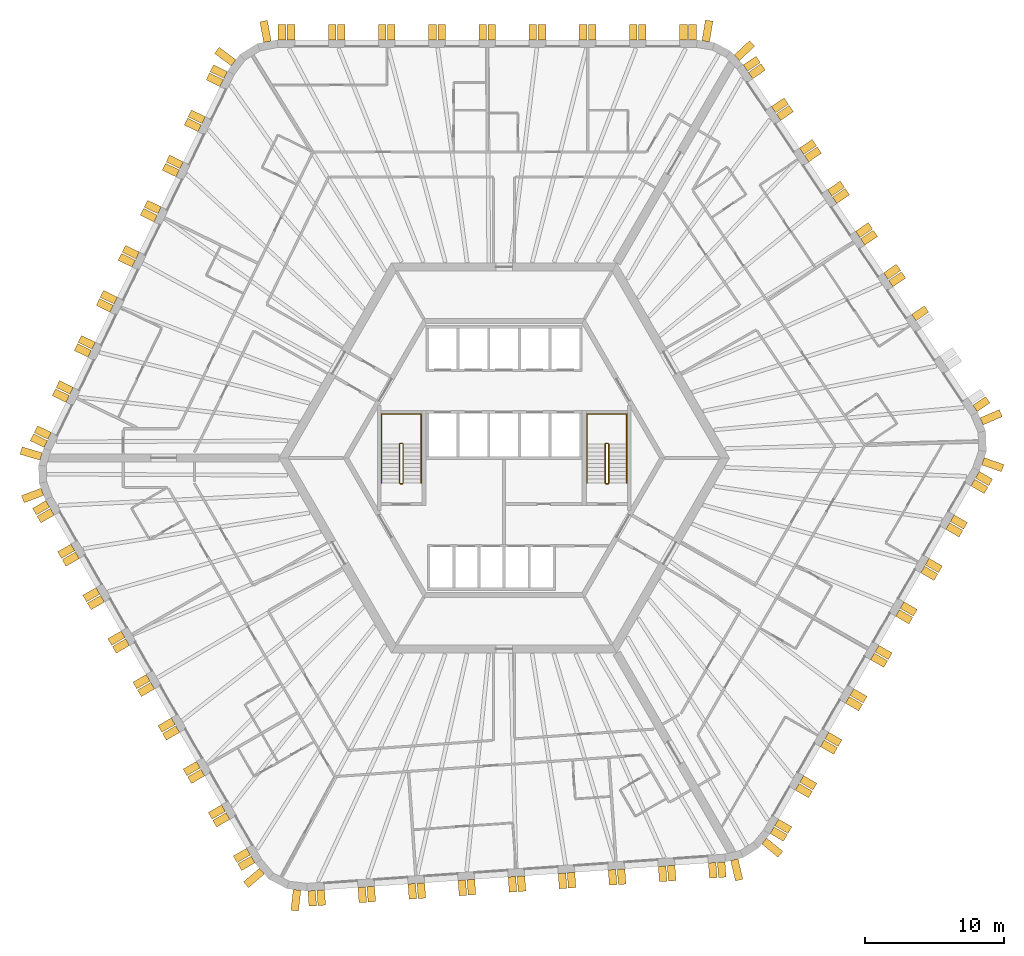
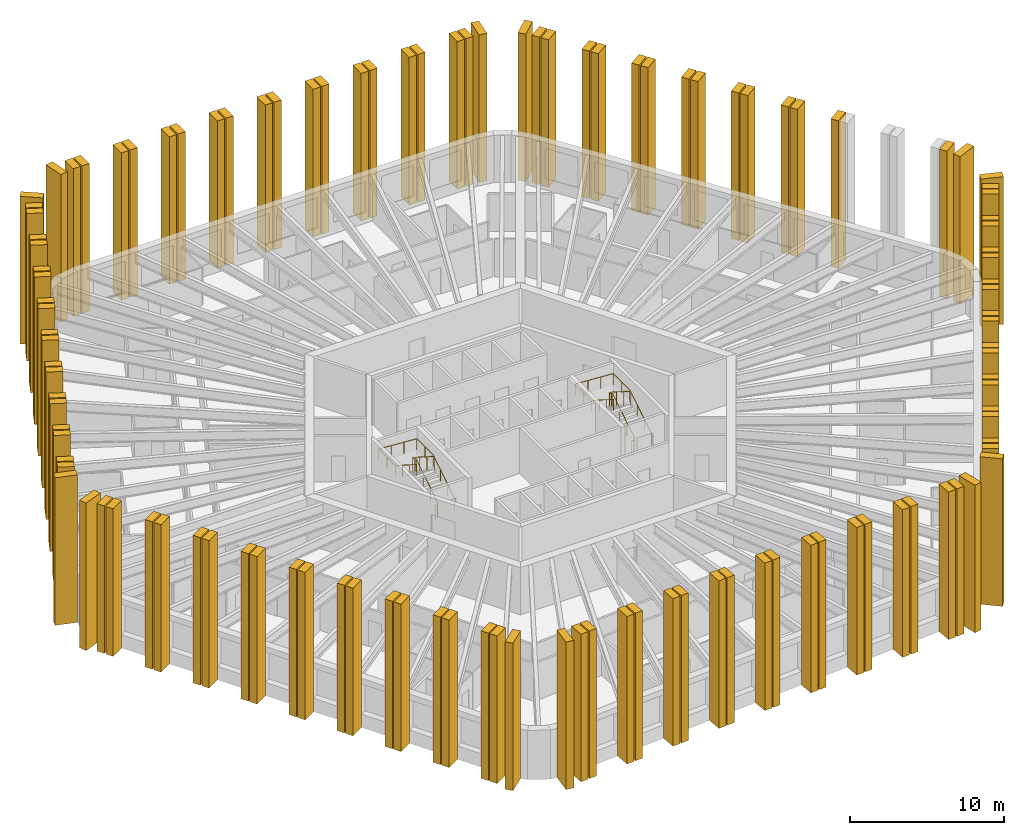
# One storey, part 12 of 13: 116 shading devices, 4 railings.
"""IFC4 building model written with IfcOpenShell, lengths in metres."""

from ifc_helpers import new_model, si_unit, direction, frame, origin, origin_2d, place, context, subcontext, project, spatial, polyline, circle, outline, extrude, material, layer, layer_set, type_object, element, save


model = new_model("IFC4")

# Units and contexts
model_context = context("Model", 3, precision=1e-05, world=origin(), true_north=direction((0.0, 1.0)))
body_context = subcontext(model_context, "Body", "Model", "MODEL_VIEW")
ifc_project = project(units=[si_unit("LENGTHUNIT", "METRE"), si_unit("AREAUNIT", "SQUARE_METRE"), si_unit("VOLUMEUNIT", "CUBIC_METRE"), si_unit("PLANEANGLEUNIT", "RADIAN"), si_unit("MASSUNIT", "GRAM", prefix="KILO")], contexts=[model_context])

# Site, building, storey
site_placement = place(None, origin())
site = spatial("IfcSite", under=ifc_project, at=site_placement, CompositionType="ELEMENT")
building_placement = place(site_placement, origin())
building = spatial("IfcBuilding", under=site, at=building_placement, Name="Tarnside Tower", CompositionType="ELEMENT")
storey_placement = place(building_placement, frame((0.0, 0.0, 111.60009765625)))
storey = spatial("IfcBuildingStorey", under=building, at=storey_placement, Name="L25", CompositionType="ELEMENT", Elevation=111.60009765625)

# Shading devices
ifc_material_1 = material(Name="Concrete C50/60 white precast", Category="concrete")
ifc_layer_1 = layer(ifc_material_1, 0.550048828125)
ifc_layer_set_1 = layer_set([ifc_layer_1], Name="Precast fin 550 x 1100")
shading_device_type_1 = type_object("IfcShadingDeviceType", Name="Precast fin 550 x 1100", PredefinedType="USERDEFINED", material=ifc_layer_set_1)
for number, where, z_axis, x_axis, name in (
    (1, (13.513916015625, 30.0, -0.150146484375), (1.0, 0.0, 0.0), (0.0, 1.0, 0.0), "Precast fin"),
    (2, (12.864013671875, 30.0, -0.150146484375), (1.0, 0.0, 0.0), (0.0, 1.0, 0.0), "Precast fin"),
    (3, (9.9140625, 30.0, -0.150146484375), (1.0, 0.0, 0.0), (0.0, 1.0, 0.0), "Precast fin"),
    (4, (9.263916015625, 30.0, -0.150146484375), (1.0, 0.0, 0.0), (0.0, 1.0, 0.0), "Precast fin"),
    (5, (6.31396484375, 30.0, -0.150146484375), (1.0, 0.0, 0.0), (0.0, 1.0, 0.0), "Precast fin"),
    (6, (5.6640625, 30.0, -0.150146484375), (1.0, 0.0, 0.0), (0.0, 1.0, 0.0), "Precast fin"),
    (7, (2.7138671875, 30.0, -0.150146484375), (1.0, 0.0, 0.0), (0.0, 1.0, 0.0), "Precast fin"),
    (8, (2.06396484375, 30.0, -0.150146484375), (1.0, 0.0, 0.0), (0.0, 1.0, 0.0), "Precast fin"),
    (9, (-0.885986328125, 30.0, -0.150146484375), (1.0, 0.0, 0.0), (0.0, 1.0, 0.0), "Precast fin"),
    (10, (-1.5361328125, 30.0, -0.150146484375), (1.0, 0.0, 0.0), (0.0, 1.0, 0.0), "Precast fin"),
    (11, (-4.486083984375, 30.0, -0.150146484375), (1.0, 0.0, 0.0), (0.0, 1.0, 0.0), "Precast fin"),
    (12, (-5.135986328125, 30.0, -0.150146484375), (1.0, 0.0, 0.0), (0.0, 1.0, 0.0), "Precast fin"),
    (13, (-8.0859375, 30.0, -0.150146484375), (1.0, 0.0, 0.0), (0.0, 1.0, 0.0), "Precast fin"),
    (14, (-8.736083984375, 30.0, -0.150146484375), (1.0, 0.0, 0.0), (0.0, 1.0, 0.0), "Precast fin"),
    (15, (-11.68603515625, 30.0, -0.150146484375), (1.0, 0.0, 0.0), (0.0, 1.0, 0.0), "Precast fin"),
    (16, (-12.3359375, 30.0, -0.150146484375), (1.0, 0.0, 0.0), (0.0, 1.0, 0.0), "Precast fin"),
    (17, (-15.2861328125, 30.0, -0.150146484375), (1.0, 0.0, 0.0), (0.0, 1.0, 0.0), "Precast fin"),
    (18, (-15.93603515625, 30.0, -0.150146484375), (1.0, 0.0, 0.0), (0.0, 1.0, 0.0), "Precast fin"),
    (19, (-19.977783203125, 27.474365234375, -0.150146484375), (0.438371146789, 0.898794046299, 0.0), (-0.898794046299, 0.438371146789, 0.0), "Precast fin"),
    (20, (-20.262939453125, 26.89013671875, -0.150146484375), (0.438371146789, 0.898794046299, 0.0), (-0.898794046299, 0.438371146789, 0.0), "Precast fin"),
    (21, (-21.555908203125, 24.23876953125, -0.150146484375), (0.438371146789, 0.898794046299, 0.0), (-0.898794046299, 0.438371146789, 0.0), "Precast fin"),
    (22, (-21.841064453125, 23.654541015625, -0.150146484375), (0.438371146789, 0.898794046299, 0.0), (-0.898794046299, 0.438371146789, 0.0), "Precast fin"),
    (23, (-23.13427734375, 21.003173828125, -0.150146484375), (0.438371146789, 0.898794046299, 0.0), (-0.898794046299, 0.438371146789, 0.0), "Precast fin"),
    (24, (-23.419189453125, 20.4189453125, -0.150146484375), (0.438371146789, 0.898794046299, 0.0), (-0.898794046299, 0.438371146789, 0.0), "Precast fin"),
    (25, (-24.71240234375, 17.767333984375, -0.150146484375), (0.438371146789, 0.898794046299, 0.0), (-0.898794046299, 0.438371146789, 0.0), "Precast fin"),
    (26, (-24.997314453125, 17.18310546875, -0.150146484375), (0.438371146789, 0.898794046299, 0.0), (-0.898794046299, 0.438371146789, 0.0), "Precast fin"),
    (27, (-26.29052734375, 14.53173828125, -0.150146484375), (0.438371146789, 0.898794046299, 0.0), (-0.898794046299, 0.438371146789, 0.0), "Precast fin"),
    (28, (-26.575439453125, 13.947509765625, -0.150146484375), (0.438371146789, 0.898794046299, 0.0), (-0.898794046299, 0.438371146789, 0.0), "Precast fin"),
    (29, (-27.86865234375, 11.296142578125, -0.150146484375), (0.438371146789, 0.898794046299, 0.0), (-0.898794046299, 0.438371146789, 0.0), "Precast fin"),
    (30, (-28.153564453125, 10.7119140625, -0.150146484375), (0.438371146789, 0.898794046299, 0.0), (-0.898794046299, 0.438371146789, 0.0), "Precast fin"),
    (31, (-29.44677734375, 8.060546875, -0.150146484375), (0.438371146789, 0.898794046299, 0.0), (-0.898794046299, 0.438371146789, 0.0), "Precast fin"),
    (32, (-29.731689453125, 7.476318359375, -0.150146484375), (0.438371146789, 0.898794046299, 0.0), (-0.898794046299, 0.438371146789, 0.0), "Precast fin"),
    (33, (-31.02490234375, 4.82470703125, -0.150146484375), (0.438371146789, 0.898794046299, 0.0), (-0.898794046299, 0.438371146789, 0.0), "Precast fin"),
    (34, (-31.309814453125, 4.240478515625, -0.150146484375), (0.438371146789, 0.898794046299, 0.0), (-0.898794046299, 0.438371146789, 0.0), "Precast fin"),
    (35, (-32.60302734375, 1.589111328125, -0.150146484375), (0.438371146789, 0.898794046299, 0.0), (-0.898794046299, 0.438371146789, 0.0), "Precast fin"),
    (36, (-32.887939453125, 1.0048828125, -0.150146484375), (0.438371146789, 0.898794046299, 0.0), (-0.898794046299, 0.438371146789, 0.0), "Precast fin"),
    (37, (-32.73779296875, -3.296630859375, -0.150146484375), (-0.5, 0.866025403784, 0.0), (-0.866025403784, -0.5, 0.0), "Precast fin"),
    (38, (-32.412841796875, -3.859375, -0.150146484375), (-0.5, 0.866025403784, 0.0), (-0.866025403784, -0.5, 0.0), "Precast fin"),
    (39, (-30.937744140625, -6.414306640625, -0.150146484375), (-0.5, 0.866025403784, 0.0), (-0.866025403784, -0.5, 0.0), "Precast fin"),
    (40, (-30.61279296875, -6.977294921875, -0.150146484375), (-0.5, 0.866025403784, 0.0), (-0.866025403784, -0.5, 0.0), "Precast fin"),
    (41, (-29.1376953125, -9.531982421875, -0.150146484375), (-0.5, 0.866025403784, 0.0), (-0.866025403784, -0.5, 0.0), "Precast fin"),
    (42, (-28.812744140625, -10.094970703125, -0.150146484375), (-0.5, 0.866025403784, 0.0), (-0.866025403784, -0.5, 0.0), "Precast fin"),
    (43, (-27.337646484375, -12.649658203125, -0.150146484375), (-0.5, 0.866025403784, 0.0), (-0.866025403784, -0.5, 0.0), "Precast fin"),
    (44, (-27.0126953125, -13.212646484375, -0.150146484375), (-0.5, 0.866025403784, 0.0), (-0.866025403784, -0.5, 0.0), "Precast fin"),
    (45, (-25.537841796875, -15.767333984375, -0.150146484375), (-0.5, 0.866025403784, 0.0), (-0.866025403784, -0.5, 0.0), "Precast fin"),
    (46, (-25.212646484375, -16.330322265625, -0.150146484375), (-0.5, 0.866025403784, 0.0), (-0.866025403784, -0.5, 0.0), "Precast fin"),
    (47, (-23.73779296875, -18.885009765625, -0.150146484375), (-0.5, 0.866025403784, 0.0), (-0.866025403784, -0.5, 0.0), "Precast fin"),
    (48, (-23.412841796875, -19.447998046875, -0.150146484375), (-0.5, 0.866025403784, 0.0), (-0.866025403784, -0.5, 0.0), "Precast fin"),
    (49, (-21.937744140625, -22.002685546875, -0.150146484375), (-0.5, 0.866025403784, 0.0), (-0.866025403784, -0.5, 0.0), "Precast fin"),
    (50, (-21.61279296875, -22.565673828125, -0.150146484375), (-0.5, 0.866025403784, 0.0), (-0.866025403784, -0.5, 0.0), "Precast fin"),
    (51, (-20.1376953125, -25.120361328125, -0.150146484375), (-0.5, 0.866025403784, 0.0), (-0.866025403784, -0.5, 0.0), "Precast fin"),
    (52, (-19.812744140625, -25.683349609375, -0.150146484375), (-0.5, 0.866025403784, 0.0), (-0.866025403784, -0.5, 0.0), "Precast fin"),
    (53, (-18.337646484375, -28.238037109375, -0.150146484375), (-0.5, 0.866025403784, 0.0), (-0.866025403784, -0.5, 0.0), "Precast fin"),
    (54, (-18.0126953125, -28.801025390625, -0.150146484375), (-0.5, 0.866025403784, 0.0), (-0.866025403784, -0.5, 0.0), "Precast fin"),
    (55, (-13.8046875, -31.03857421875, -0.150146484375), (-0.99756405026, -0.069756473744, 0.0), (0.069756473744, -0.99756405026, 0.0), "Precast fin"),
    (56, (-13.15625, -30.9931640625, -0.150146484375), (-0.99756405026, -0.069756473744, 0.0), (0.069756473744, -0.99756405026, 0.0), "Precast fin"),
    (57, (-10.21337890625, -30.787353515625, -0.150146484375), (-0.99756405026, -0.069756473744, 0.0), (0.069756473744, -0.99756405026, 0.0), "Precast fin"),
    (58, (-9.56494140625, -30.7421875, -0.150146484375), (-0.99756405026, -0.069756473744, 0.0), (0.069756473744, -0.99756405026, 0.0), "Precast fin"),
    (59, (-6.6220703125, -30.536376953125, -0.150146484375), (-0.99756405026, -0.069756473744, 0.0), (0.069756473744, -0.99756405026, 0.0), "Precast fin"),
    (60, (-5.9736328125, -30.490966796875, -0.150146484375), (-0.99756405026, -0.069756473744, 0.0), (0.069756473744, -0.99756405026, 0.0), "Precast fin"),
    (61, (-3.031005859375, -30.28515625, -0.150146484375), (-0.99756405026, -0.069756473744, 0.0), (0.069756473744, -0.99756405026, 0.0), "Precast fin"),
    (62, (-2.382568359375, -30.23974609375, -0.150146484375), (-0.99756405026, -0.069756473744, 0.0), (0.069756473744, -0.99756405026, 0.0), "Precast fin"),
    (63, (0.560302734375, -30.0341796875, -0.150146484375), (-0.99756405026, -0.069756473744, 0.0), (0.069756473744, -0.99756405026, 0.0), "Precast fin"),
    (64, (1.208740234375, -29.98876953125, -0.150146484375), (-0.99756405026, -0.069756473744, 0.0), (0.069756473744, -0.99756405026, 0.0), "Precast fin"),
    (65, (4.151611328125, -29.782958984375, -0.150146484375), (-0.99756405026, -0.069756473744, 0.0), (0.069756473744, -0.99756405026, 0.0), "Precast fin"),
    (66, (4.800048828125, -29.737548828125, -0.150146484375), (-0.99756405026, -0.069756473744, 0.0), (0.069756473744, -0.99756405026, 0.0), "Precast fin"),
    (67, (7.74267578125, -29.53173828125, -0.150146484375), (-0.99756405026, -0.069756473744, 0.0), (0.069756473744, -0.99756405026, 0.0), "Precast fin"),
    (68, (8.39111328125, -29.486572265625, -0.150146484375), (-0.99756405026, -0.069756473744, 0.0), (0.069756473744, -0.99756405026, 0.0), "Precast fin"),
    (69, (11.333984375, -29.28076171875, -0.150146484375), (-0.99756405026, -0.069756473744, 0.0), (0.069756473744, -0.99756405026, 0.0), "Precast fin"),
    (70, (11.982421875, -29.2353515625, -0.150146484375), (-0.99756405026, -0.069756473744, 0.0), (0.069756473744, -0.99756405026, 0.0), "Precast fin"),
    (71, (14.92529296875, -29.029541015625, -0.150146484375), (-0.99756405026, -0.069756473744, 0.0), (0.069756473744, -0.99756405026, 0.0), "Precast fin"),
    (72, (15.57373046875, -28.984130859375, -0.150146484375), (-0.99756405026, -0.069756473744, 0.0), (0.069756473744, -0.99756405026, 0.0), "Precast fin"),
    (73, (19.223876953125, -26.703369140625, -0.150146484375), (-0.5, -0.866025403784, 0.0), (0.866025403784, -0.5, 0.0), "Precast fin"),
    (74, (19.548828125, -26.140625, -0.150146484375), (-0.5, -0.866025403784, 0.0), (0.866025403784, -0.5, 0.0), "Precast fin"),
    (75, (21.023681640625, -23.585693359375, -0.150146484375), (-0.5, -0.866025403784, 0.0), (0.866025403784, -0.5, 0.0), "Precast fin"),
    (76, (21.348876953125, -23.022705078125, -0.150146484375), (-0.5, -0.866025403784, 0.0), (0.866025403784, -0.5, 0.0), "Precast fin"),
    (77, (22.82373046875, -20.468017578125, -0.150146484375), (-0.5, -0.866025403784, 0.0), (0.866025403784, -0.5, 0.0), "Precast fin"),
    (78, (23.148681640625, -19.905029296875, -0.150146484375), (-0.5, -0.866025403784, 0.0), (0.866025403784, -0.5, 0.0), "Precast fin"),
    (79, (24.623779296875, -17.350341796875, -0.150146484375), (-0.5, -0.866025403784, 0.0), (0.866025403784, -0.5, 0.0), "Precast fin"),
    (80, (24.94873046875, -16.787353515625, -0.150146484375), (-0.5, -0.866025403784, 0.0), (0.866025403784, -0.5, 0.0), "Precast fin"),
    (81, (26.423828125, -14.232666015625, -0.150146484375), (-0.5, -0.866025403784, 0.0), (0.866025403784, -0.5, 0.0), "Precast fin"),
    (82, (26.748779296875, -13.669677734375, -0.150146484375), (-0.5, -0.866025403784, 0.0), (0.866025403784, -0.5, 0.0), "Precast fin"),
    (83, (28.223876953125, -11.114990234375, -0.150146484375), (-0.5, -0.866025403784, 0.0), (0.866025403784, -0.5, 0.0), "Precast fin"),
    (84, (28.548828125, -10.552001953125, -0.150146484375), (-0.5, -0.866025403784, 0.0), (0.866025403784, -0.5, 0.0), "Precast fin"),
    (85, (30.023681640625, -7.997314453125, -0.150146484375), (-0.5, -0.866025403784, 0.0), (0.866025403784, -0.5, 0.0), "Precast fin"),
    (86, (30.348876953125, -7.434326171875, -0.150146484375), (-0.5, -0.866025403784, 0.0), (0.866025403784, -0.5, 0.0), "Precast fin"),
    (87, (31.82373046875, -4.879638671875, -0.150146484375), (-0.5, -0.866025403784, 0.0), (0.866025403784, -0.5, 0.0), "Precast fin"),
    (88, (32.148681640625, -4.316650390625, -0.150146484375), (-0.5, -0.866025403784, 0.0), (0.866025403784, -0.5, 0.0), "Precast fin"),
    (89, (33.623779296875, -1.761962890625, -0.150146484375), (-0.5, -0.866025403784, 0.0), (0.866025403784, -0.5, 0.0), "Precast fin"),
    (90, (33.94873046875, -1.198974609375, -0.150146484375), (-0.5, -0.866025403784, 0.0), (0.866025403784, -0.5, 0.0), "Precast fin"),
    (91, (33.782470703125, 3.564208984375, -0.150146484375), (0.559192903471, -0.829037572555, 0.0), (0.829037572555, 0.559192903471, 0.0), "Precast fin"),
    (92, (29.392822265625, 10.072021484375, -0.150146484375), (0.559192903471, -0.829037572555, 0.0), (0.829037572555, 0.559192903471, 0.0), "Precast fin"),
    (93, (27.7431640625, 12.517822265625, -0.150146484375), (0.559192903471, -0.829037572555, 0.0), (0.829037572555, 0.559192903471, 0.0), "Precast fin"),
    (94, (27.379638671875, 13.056640625, -0.150146484375), (0.559192903471, -0.829037572555, 0.0), (0.829037572555, 0.559192903471, 0.0), "Precast fin"),
    (95, (25.730224609375, 15.502197265625, -0.150146484375), (0.559192903471, -0.829037572555, 0.0), (0.829037572555, 0.559192903471, 0.0), "Precast fin"),
    (96, (25.36669921875, 16.041259765625, -0.150146484375), (0.559192903471, -0.829037572555, 0.0), (0.829037572555, 0.559192903471, 0.0), "Precast fin"),
    (97, (23.717041015625, 18.48681640625, -0.150146484375), (0.559192903471, -0.829037572555, 0.0), (0.829037572555, 0.559192903471, 0.0), "Precast fin"),
    (98, (23.353515625, 19.025634765625, -0.150146484375), (0.559192903471, -0.829037572555, 0.0), (0.829037572555, 0.559192903471, 0.0), "Precast fin"),
    (99, (21.703857421875, 21.471435546875, -0.150146484375), (0.559192903471, -0.829037572555, 0.0), (0.829037572555, 0.559192903471, 0.0), "Precast fin"),
    (100, (21.34033203125, 22.01025390625, -0.150146484375), (0.559192903471, -0.829037572555, 0.0), (0.829037572555, 0.559192903471, 0.0), "Precast fin"),
    (101, (19.69091796875, 24.455810546875, -0.150146484375), (0.559192903471, -0.829037572555, 0.0), (0.829037572555, 0.559192903471, 0.0), "Precast fin"),
    (102, (19.327392578125, 24.994873046875, -0.150146484375), (0.559192903471, -0.829037572555, 0.0), (0.829037572555, 0.559192903471, 0.0), "Precast fin"),
    (103, (17.677734375, 27.4404296875, -0.150146484375), (0.559192903471, -0.829037572555, 0.0), (0.829037572555, 0.559192903471, 0.0), "Precast fin"),
    (104, (17.314208984375, 27.979248046875, -0.150146484375), (0.559192903471, -0.829037572555, 0.0), (0.829037572555, 0.559192903471, 0.0), "Precast fin"),
):
    element("IfcShadingDevice", number, at=place(storey_placement, frame(where, z_axis=z_axis, x_axis=x_axis)), inside=storey, type_object=shading_device_type_1, Name=name, ObjectType="FIN", PredefinedType="USERDEFINED", context=body_context, shape_type="SweptSolid", body=[
        extrude(outline(polyline([(0.0, 0.0), (1.10009765625, 0.0), (1.10009765625, 11.699951171875), (0.0, 11.699951171875), (0.0, 0.0)])), frame((0.0, 0.0, -0.27490234375)), (0.0, 0.0, 1.0), 0.550048828125),
    ])
ifc_layer_2 = layer(ifc_material_1, 0.550048828125)
ifc_layer_set_2 = layer_set([ifc_layer_2], Name="Precast fin 550 x 1500")
shading_device_type_2 = type_object("IfcShadingDeviceType", Name="Precast fin 550 x 1500", PredefinedType="USERDEFINED", material=ifc_layer_set_2)
for number, where, z_axis, x_axis, name in (
    (105, (-16.97509765625, 29.86767578125, -0.150146484375), (0.982720646705, 0.18509492305, 0.0), (-0.18509492305, 0.982720646705, 0.0), "Precast fin"),
    (106, (-19.403564453125, 28.35009765625, -0.150146484375), (0.597158591707, 0.802123192752, 0.0), (-0.802123192752, 0.597158591707, 0.0), "Precast fin"),
    (107, (-33.213623046875, 0.10546875, -0.150146484375), (0.286803232717, 0.957989512314, 0.0), (-0.957989512314, 0.286803232717, 0.0), "Precast fin"),
    (108, (-33.125244140625, -2.422119140625, -0.150146484375), (-0.352930564719, 0.935649515837, 0.0), (-0.935649515837, -0.352930564719, 0.0), "Precast fin"),
    (109, (-17.378662109375, -29.634765625, -0.150146484375), (-0.651657228826, 0.758513583345, 0.0), (-0.758513583345, -0.651657228826, 0.0), "Precast fin"),
    (110, (-14.850341796875, -30.97900390625, -0.150146484375), (-0.993238357741, 0.116092914131, 0.0), (-0.116092914131, -0.993238357741, 0.0), "Precast fin"),
    (111, (16.515625, -28.81640625, -0.150146484375), (-0.973044870581, -0.230615870737, 0.0), (0.230615870737, -0.973044870581, 0.0), "Precast fin"),
    (112, (18.66015625, -27.476318359375, -0.150146484375), (-0.633830967394, -0.773471592738, 0.0), (0.773471592738, -0.633830967394, 0.0), "Precast fin"),
    (113, (34.353759765625, -0.23291015625, -0.150146484375), (-0.331063417879, -0.943608506396, 0.0), (0.943608506396, -0.331063417879, 0.0), "Precast fin"),
    (114, (34.253662109375, 2.62890625, -0.150146484375), (0.396079766034, -0.918216106883, 0.0), (0.918216106883, 0.396079766034, 0.0), "Precast fin"),
    (115, (16.697998046875, 28.711181640625, -0.150146484375), (0.686241637865, -0.727373641577, 0.0), (0.727373641577, 0.686241637865, 0.0), "Precast fin"),
    (116, (14.465087890625, 29.8984375, -0.150146484375), (0.986761532114, -0.1621779231, 0.0), (0.1621779231, 0.986761532114, 0.0), "Precast fin"),
):
    element("IfcShadingDevice", number, at=place(storey_placement, frame(where, z_axis=z_axis, x_axis=x_axis)), inside=storey, type_object=shading_device_type_2, Name=name, ObjectType="FIN", PredefinedType="USERDEFINED", context=body_context, shape_type="SweptSolid", body=[
        extrude(outline(polyline([(0.0, 0.0), (1.5, 0.0), (1.5, 11.699951171875), (0.0, 11.699951171875), (0.0, 0.0)])), frame((0.0, 0.0, -0.27490234375)), (0.0, 0.0, 1.0), 0.550048828125),
    ])

# Railings
ifc_material_2 = material(Name="Stainless steel", Category="steel")
railing_type_1 = type_object("IfcRailingType", Name="Stair guard 1100", PredefinedType="GUARDRAIL", material=ifc_material_2)
railing_1_placement = place(storey_placement, frame((7.300048828125, -1.85009765625, 0.0)))
element("IfcRailing", 117, at=railing_1_placement, inside=storey, type_object=railing_type_1, Name="L25 ST1 stair guard 1", PredefinedType="GUARDRAIL", context=body_context, shape_type="SweptSolid", body=[
    extrude(circle(Radius=0.02392578125, at=origin_2d()), frame((0.0, 0.0, 1.076171875), z_axis=(1.0, 0.0, 0.0), x_axis=(0.0, 1.0, 0.0)), (0.0, 0.0, 1.0), 0.14990234375),
    extrude(circle(Radius=0.02392578125, at=origin_2d()), frame((0.14990234375, 0.0, 1.076171875), z_axis=(0.262233686654, 0.262233686654, 0.928691007369), x_axis=(-0.707106781187, 0.707106781187, 0.0)), (0.0, 0.0, 1.0), 0.19091796875),
    extrude(circle(Radius=0.02392578125, at=origin_2d()), frame((0.199951171875, 0.050048828125, 1.25341796875), z_axis=(0.0, 0.844908973607, 0.534910110503), x_axis=(-1.0, 0.0, 0.0)), (0.0, 0.0, 1.0), 3.31396484375),
    extrude(circle(Radius=0.02392578125, at=origin_2d()), frame((0.199951171875, 2.85009765625, 3.02587890625), z_axis=(-0.707106781187, 0.707106781187, 0.0), x_axis=(-0.707106781187, -0.707106781187, 0.0)), (0.0, 0.0, 1.0), 0.07080078125),
    extrude(circle(Radius=0.02392578125, at=origin_2d()), frame((0.14990234375, 2.900146484375, 3.02587890625), z_axis=(-1.0, 0.0, 0.0), x_axis=(0.0, -1.0, 0.0)), (0.0, 0.0, 1.0), 0.14990234375),
    extrude(circle(Radius=0.02392578125, at=origin_2d()), frame((0.0, 2.900146484375, 3.02587890625), z_axis=(-0.262233686654, -0.262233686654, 0.928691007369), x_axis=(0.707106781187, -0.707106781187, 0.0)), (0.0, 0.0, 1.0), 0.19091796875),
    extrude(circle(Radius=0.02392578125, at=origin_2d()), frame((-0.050048828125, 2.85009765625, 3.203125), z_axis=(0.0, -0.844908973607, 0.534910110503), x_axis=(1.0, 0.0, 0.0)), (0.0, 0.0, 1.0), 3.31396484375),
    extrude(circle(Radius=0.02099609375, at=origin_2d()), origin(), (0.0, 0.0, 1.0), 1.052001953125),
    extrude(circle(Radius=0.02099609375, at=origin_2d()), frame((0.14990234375, 0.0, 0.0)), (0.0, 0.0, 1.0), 1.052001953125),
    extrude(circle(Radius=0.02099609375, at=origin_2d()), frame((0.199951171875, 0.050048828125, 0.17724609375)), (0.0, 0.0, 1.0), 1.052001953125),
    extrude(circle(Radius=0.02099609375, at=origin_2d()), frame((0.199951171875, 0.9833984375, 0.76806640625)), (0.0, 0.0, 1.0), 1.052001953125),
    extrude(circle(Radius=0.02099609375, at=origin_2d()), frame((0.199951171875, 1.916748046875, 1.359130859375)), (0.0, 0.0, 1.0), 1.052001953125),
    extrude(circle(Radius=0.02099609375, at=origin_2d()), frame((0.199951171875, 2.85009765625, 1.949951171875)), (0.0, 0.0, 1.0), 1.052001953125),
    extrude(circle(Radius=0.02099609375, at=origin_2d()), frame((0.14990234375, 2.900146484375, 1.949951171875)), (0.0, 0.0, 1.0), 1.052001953125),
    extrude(circle(Radius=0.02099609375, at=origin_2d()), frame((0.0, 2.900146484375, 1.949951171875)), (0.0, 0.0, 1.0), 1.052001953125),
    extrude(circle(Radius=0.02099609375, at=origin_2d()), frame((-0.050048828125, 2.85009765625, 2.127197265625)), (0.0, 0.0, 1.0), 1.052001953125),
    extrude(circle(Radius=0.02099609375, at=origin_2d()), frame((-0.050048828125, 1.916748046875, 2.718017578125)), (0.0, 0.0, 1.0), 1.052001953125),
    extrude(circle(Radius=0.02099609375, at=origin_2d()), frame((-0.050048828125, 0.9833984375, 3.30908203125)), (0.0, 0.0, 1.0), 1.052001953125),
    extrude(circle(Radius=0.02099609375, at=origin_2d()), frame((-0.050048828125, 0.050048828125, 3.89990234375)), (0.0, 0.0, 1.0), 1.052001953125),
])
railing_2_placement = place(storey_placement, frame((-7.449951171875, -1.85009765625, 0.0)))
element("IfcRailing", 118, at=railing_2_placement, inside=storey, type_object=railing_type_1, Name="L25 ST2 stair guard 1", PredefinedType="GUARDRAIL", context=body_context, shape_type="SweptSolid", body=[
    extrude(circle(Radius=0.02392578125, at=origin_2d()), frame((0.0, 0.0, 1.076171875), z_axis=(1.0, 0.0, 0.0), x_axis=(0.0, 1.0, 0.0)), (0.0, 0.0, 1.0), 0.14990234375),
    extrude(circle(Radius=0.02392578125, at=origin_2d()), frame((0.14990234375, 0.0, 1.076171875), z_axis=(0.262233686654, 0.262233686654, 0.928691007369), x_axis=(-0.707106781187, 0.707106781187, 0.0)), (0.0, 0.0, 1.0), 0.19091796875),
    extrude(circle(Radius=0.02392578125, at=origin_2d()), frame((0.199951171875, 0.050048828125, 1.25341796875), z_axis=(0.0, 0.844908973607, 0.534910110503), x_axis=(-1.0, 0.0, 0.0)), (0.0, 0.0, 1.0), 3.31396484375),
    extrude(circle(Radius=0.02392578125, at=origin_2d()), frame((0.199951171875, 2.85009765625, 3.02587890625), z_axis=(-0.707106781187, 0.707106781187, 0.0), x_axis=(-0.707106781187, -0.707106781187, 0.0)), (0.0, 0.0, 1.0), 0.07080078125),
    extrude(circle(Radius=0.02392578125, at=origin_2d()), frame((0.14990234375, 2.900146484375, 3.02587890625), z_axis=(-1.0, 0.0, 0.0), x_axis=(0.0, -1.0, 0.0)), (0.0, 0.0, 1.0), 0.14990234375),
    extrude(circle(Radius=0.02392578125, at=origin_2d()), frame((0.0, 2.900146484375, 3.02587890625), z_axis=(-0.262233686654, -0.262233686654, 0.928691007369), x_axis=(0.707106781187, -0.707106781187, 0.0)), (0.0, 0.0, 1.0), 0.19091796875),
    extrude(circle(Radius=0.02392578125, at=origin_2d()), frame((-0.050048828125, 2.85009765625, 3.203125), z_axis=(0.0, -0.844908973607, 0.534910110503), x_axis=(1.0, 0.0, 0.0)), (0.0, 0.0, 1.0), 3.31396484375),
    extrude(circle(Radius=0.02099609375, at=origin_2d()), origin(), (0.0, 0.0, 1.0), 1.052001953125),
    extrude(circle(Radius=0.02099609375, at=origin_2d()), frame((0.14990234375, 0.0, 0.0)), (0.0, 0.0, 1.0), 1.052001953125),
    extrude(circle(Radius=0.02099609375, at=origin_2d()), frame((0.199951171875, 0.050048828125, 0.17724609375)), (0.0, 0.0, 1.0), 1.052001953125),
    extrude(circle(Radius=0.02099609375, at=origin_2d()), frame((0.199951171875, 0.9833984375, 0.76806640625)), (0.0, 0.0, 1.0), 1.052001953125),
    extrude(circle(Radius=0.02099609375, at=origin_2d()), frame((0.199951171875, 1.916748046875, 1.359130859375)), (0.0, 0.0, 1.0), 1.052001953125),
    extrude(circle(Radius=0.02099609375, at=origin_2d()), frame((0.199951171875, 2.85009765625, 1.949951171875)), (0.0, 0.0, 1.0), 1.052001953125),
    extrude(circle(Radius=0.02099609375, at=origin_2d()), frame((0.14990234375, 2.900146484375, 1.949951171875)), (0.0, 0.0, 1.0), 1.052001953125),
    extrude(circle(Radius=0.02099609375, at=origin_2d()), frame((0.0, 2.900146484375, 1.949951171875)), (0.0, 0.0, 1.0), 1.052001953125),
    extrude(circle(Radius=0.02099609375, at=origin_2d()), frame((-0.050048828125, 2.85009765625, 2.127197265625)), (0.0, 0.0, 1.0), 1.052001953125),
    extrude(circle(Radius=0.02099609375, at=origin_2d()), frame((-0.050048828125, 1.916748046875, 2.718017578125)), (0.0, 0.0, 1.0), 1.052001953125),
    extrude(circle(Radius=0.02099609375, at=origin_2d()), frame((-0.050048828125, 0.9833984375, 3.30908203125)), (0.0, 0.0, 1.0), 1.052001953125),
    extrude(circle(Radius=0.02099609375, at=origin_2d()), frame((-0.050048828125, 0.050048828125, 3.89990234375)), (0.0, 0.0, 1.0), 1.052001953125),
])
railing_type_2 = type_object("IfcRailingType", Name="Stair handrail 900", PredefinedType="HANDRAIL", material=ifc_material_2)
railing_3_placement = place(storey_placement, frame((8.800048828125, -1.800048828125, 0.17724609375)))
element("IfcRailing", 119, at=railing_3_placement, inside=storey, type_object=railing_type_2, Name="L25 ST1 stair handrail 1", PredefinedType="HANDRAIL", context=body_context, shape_type="SweptSolid", body=[
    extrude(circle(Radius=0.02392578125, at=origin_2d()), frame((0.0, 0.0, 0.8857421875), z_axis=(0.0, 0.844908973607, 0.534910110503), x_axis=(-1.0, 0.0, 0.0)), (0.0, 0.0, 1.0), 3.31396484375),
    extrude(circle(Radius=0.02392578125, at=origin_2d()), frame((0.0, 2.800048828125, 2.65869140625), z_axis=(0.0, 1.0, 0.0), x_axis=(-1.0, 0.0, 0.0)), (0.0, 0.0, 1.0), 2.14990234375),
    extrude(circle(Radius=0.02392578125, at=origin_2d()), frame((0.0, 4.949951171875, 2.65869140625), z_axis=(-0.998071825391, 0.0, 0.06206956872), x_axis=(0.0, -1.0, 0.0)), (0.0, 0.0, 1.0), 2.855712890625),
    extrude(circle(Radius=0.02392578125, at=origin_2d()), frame((-2.85009765625, 4.949951171875, 2.8359375), z_axis=(0.0, -1.0, 0.0), x_axis=(1.0, 0.0, 0.0)), (0.0, 0.0, 1.0), 2.14990234375),
    extrude(circle(Radius=0.02392578125, at=origin_2d()), frame((-2.85009765625, 2.800048828125, 2.8359375), z_axis=(0.0, -0.844908973607, 0.534910110503), x_axis=(1.0, 0.0, 0.0)), (0.0, 0.0, 1.0), 3.31396484375),
    extrude(circle(Radius=0.02099609375, at=origin_2d()), origin(), (0.0, 0.0, 1.0), 0.86181640625),
    extrude(circle(Radius=0.02099609375, at=origin_2d()), frame((0.0, 0.933349609375, 0.5908203125)), (0.0, 0.0, 1.0), 0.86181640625),
    extrude(circle(Radius=0.02099609375, at=origin_2d()), frame((0.0, 1.86669921875, 1.181884765625)), (0.0, 0.0, 1.0), 0.86181640625),
    extrude(circle(Radius=0.02099609375, at=origin_2d()), frame((0.0, 2.800048828125, 1.772705078125)), (0.0, 0.0, 1.0), 0.86181640625),
    extrude(circle(Radius=0.02099609375, at=origin_2d()), frame((0.0, 3.875, 1.772705078125)), (0.0, 0.0, 1.0), 0.86181640625),
    extrude(circle(Radius=0.02099609375, at=origin_2d()), frame((0.0, 4.949951171875, 1.772705078125)), (0.0, 0.0, 1.0), 0.86181640625),
    extrude(circle(Radius=0.02099609375, at=origin_2d()), frame((-0.949951171875, 4.949951171875, 1.831787109375)), (0.0, 0.0, 1.0), 0.86181640625),
    extrude(circle(Radius=0.02099609375, at=origin_2d()), frame((-1.900146484375, 4.949951171875, 1.890869140625)), (0.0, 0.0, 1.0), 0.86181640625),
    extrude(circle(Radius=0.02099609375, at=origin_2d()), frame((-2.85009765625, 4.949951171875, 1.949951171875)), (0.0, 0.0, 1.0), 0.86181640625),
    extrude(circle(Radius=0.02099609375, at=origin_2d()), frame((-2.85009765625, 3.875, 1.949951171875)), (0.0, 0.0, 1.0), 0.86181640625),
    extrude(circle(Radius=0.02099609375, at=origin_2d()), frame((-2.85009765625, 2.800048828125, 1.949951171875)), (0.0, 0.0, 1.0), 0.86181640625),
    extrude(circle(Radius=0.02099609375, at=origin_2d()), frame((-2.85009765625, 1.86669921875, 2.540771484375)), (0.0, 0.0, 1.0), 0.86181640625),
    extrude(circle(Radius=0.02099609375, at=origin_2d()), frame((-2.85009765625, 0.933349609375, 3.1318359375)), (0.0, 0.0, 1.0), 0.86181640625),
    extrude(circle(Radius=0.02099609375, at=origin_2d()), frame((-2.85009765625, 0.0, 3.72265625)), (0.0, 0.0, 1.0), 0.86181640625),
])
railing_4_placement = place(storey_placement, frame((-5.949951171875, -1.800048828125, 0.17724609375)))
element("IfcRailing", 120, at=railing_4_placement, inside=storey, type_object=railing_type_2, Name="L25 ST2 stair handrail 1", PredefinedType="HANDRAIL", context=body_context, shape_type="SweptSolid", body=[
    extrude(circle(Radius=0.02392578125, at=origin_2d()), frame((0.0, 0.0, 0.8857421875), z_axis=(0.0, 0.844908973607, 0.534910110503), x_axis=(-1.0, 0.0, 0.0)), (0.0, 0.0, 1.0), 3.31396484375),
    extrude(circle(Radius=0.02392578125, at=origin_2d()), frame((0.0, 2.800048828125, 2.65869140625), z_axis=(0.0, 1.0, 0.0), x_axis=(-1.0, 0.0, 0.0)), (0.0, 0.0, 1.0), 2.14990234375),
    extrude(circle(Radius=0.02392578125, at=origin_2d()), frame((0.0, 4.949951171875, 2.65869140625), z_axis=(-0.998071825391, 0.0, 0.06206956872), x_axis=(0.0, -1.0, 0.0)), (0.0, 0.0, 1.0), 2.855712890625),
    extrude(circle(Radius=0.02392578125, at=origin_2d()), frame((-2.85009765625, 4.949951171875, 2.8359375), z_axis=(0.0, -1.0, 0.0), x_axis=(1.0, 0.0, 0.0)), (0.0, 0.0, 1.0), 2.14990234375),
    extrude(circle(Radius=0.02392578125, at=origin_2d()), frame((-2.85009765625, 2.800048828125, 2.8359375), z_axis=(0.0, -0.844908973607, 0.534910110503), x_axis=(1.0, 0.0, 0.0)), (0.0, 0.0, 1.0), 3.31396484375),
    extrude(circle(Radius=0.02099609375, at=origin_2d()), origin(), (0.0, 0.0, 1.0), 0.86181640625),
    extrude(circle(Radius=0.02099609375, at=origin_2d()), frame((0.0, 0.933349609375, 0.5908203125)), (0.0, 0.0, 1.0), 0.86181640625),
    extrude(circle(Radius=0.02099609375, at=origin_2d()), frame((0.0, 1.86669921875, 1.181884765625)), (0.0, 0.0, 1.0), 0.86181640625),
    extrude(circle(Radius=0.02099609375, at=origin_2d()), frame((0.0, 2.800048828125, 1.772705078125)), (0.0, 0.0, 1.0), 0.86181640625),
    extrude(circle(Radius=0.02099609375, at=origin_2d()), frame((0.0, 3.875, 1.772705078125)), (0.0, 0.0, 1.0), 0.86181640625),
    extrude(circle(Radius=0.02099609375, at=origin_2d()), frame((0.0, 4.949951171875, 1.772705078125)), (0.0, 0.0, 1.0), 0.86181640625),
    extrude(circle(Radius=0.02099609375, at=origin_2d()), frame((-0.949951171875, 4.949951171875, 1.831787109375)), (0.0, 0.0, 1.0), 0.86181640625),
    extrude(circle(Radius=0.02099609375, at=origin_2d()), frame((-1.900146484375, 4.949951171875, 1.890869140625)), (0.0, 0.0, 1.0), 0.86181640625),
    extrude(circle(Radius=0.02099609375, at=origin_2d()), frame((-2.85009765625, 4.949951171875, 1.949951171875)), (0.0, 0.0, 1.0), 0.86181640625),
    extrude(circle(Radius=0.02099609375, at=origin_2d()), frame((-2.85009765625, 3.875, 1.949951171875)), (0.0, 0.0, 1.0), 0.86181640625),
    extrude(circle(Radius=0.02099609375, at=origin_2d()), frame((-2.85009765625, 2.800048828125, 1.949951171875)), (0.0, 0.0, 1.0), 0.86181640625),
    extrude(circle(Radius=0.02099609375, at=origin_2d()), frame((-2.85009765625, 1.86669921875, 2.540771484375)), (0.0, 0.0, 1.0), 0.86181640625),
    extrude(circle(Radius=0.02099609375, at=origin_2d()), frame((-2.85009765625, 0.933349609375, 3.1318359375)), (0.0, 0.0, 1.0), 0.86181640625),
    extrude(circle(Radius=0.02099609375, at=origin_2d()), frame((-2.85009765625, 0.0, 3.72265625)), (0.0, 0.0, 1.0), 0.86181640625),
])

save(model, "model.ifc")
